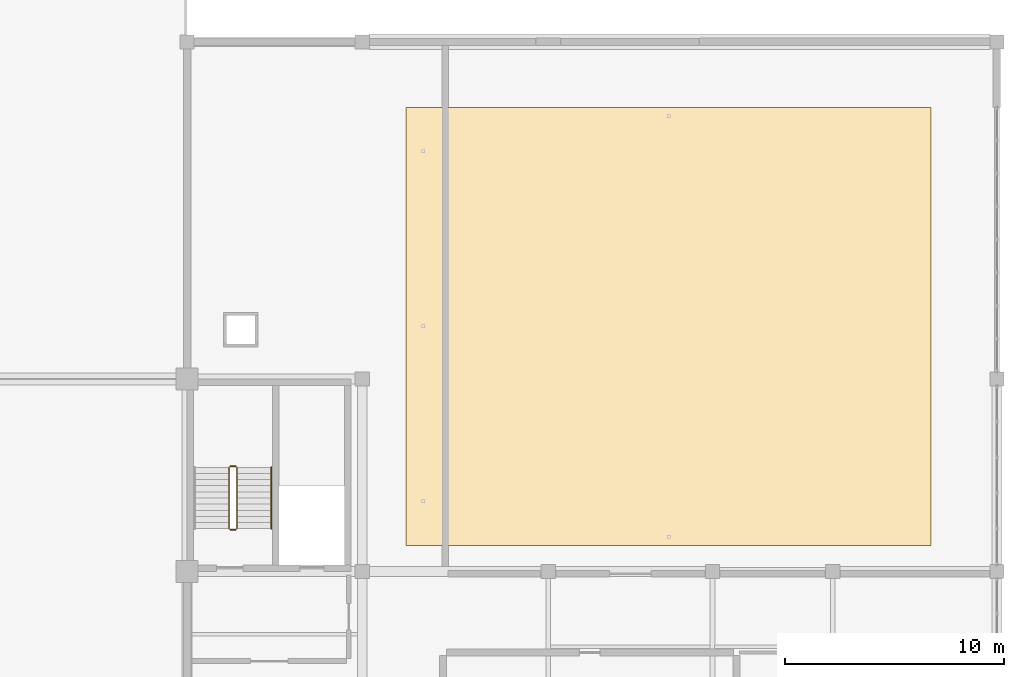
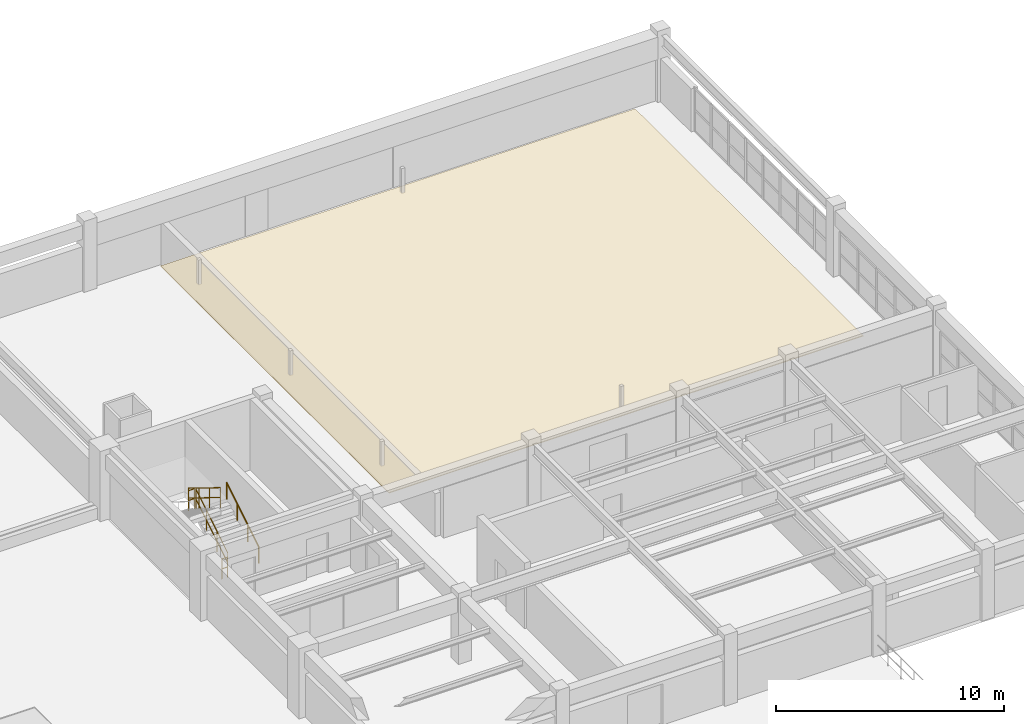
# One storey, part 74 of 74: 5 railings, 1 covering.
"""IFC4 building model written with IfcOpenShell, lengths in metres."""

from ifc_helpers import new_model, si_unit, direction, frame, origin, origin_2d, place, context, subcontext, project, spatial, polyline, circle, outline, extrude, material, layer, layer_set, type_object, element, save


model = new_model("IFC4")

# Units and contexts
model_context = context("Model", 3, precision=1e-05, world=origin(), true_north=direction((0.0, 1.0)))
body_context = subcontext(model_context, "Body", "Model", "MODEL_VIEW")
ifc_project = project(units=[si_unit("LENGTHUNIT", "METRE"), si_unit("AREAUNIT", "SQUARE_METRE"), si_unit("VOLUMEUNIT", "CUBIC_METRE"), si_unit("PLANEANGLEUNIT", "RADIAN"), si_unit("MASSUNIT", "GRAM", prefix="KILO")], contexts=[model_context])

# Site, building, storey
site_placement = place(None, origin())
site = spatial("IfcSite", under=ifc_project, at=site_placement, CompositionType="ELEMENT")
building_placement = place(site_placement, origin())
building = spatial("IfcBuilding", under=site, at=building_placement, Name="Muzn Square Opera House", CompositionType="ELEMENT")
storey_placement = place(building_placement, frame((0.0, 0.0, 14.199951171875)))
storey = spatial("IfcBuildingStorey", under=building, at=storey_placement, Name="L03", CompositionType="ELEMENT", Elevation=14.199951171875)

# Covering
ifc_material_1 = material(Name="Acoustic walnut timber panelling", Category="wood")
ifc_layer = layer(ifc_material_1, 0.0400390625, Name="Acoustic walnut timber panelling", Category="wood")
ifc_layer_set = layer_set([ifc_layer], Name="Acoustic walnut timber panelling")
covering_type = type_object("IfcCoveringType", Name="Carved Walnut Acoustic Ceiling Cloud", PredefinedType="CEILING", material=ifc_layer_set)
covering_placement = place(storey_placement, frame((0.0, 0.0, 2.199951171875)))
element("IfcCovering", 1, at=covering_placement, inside=storey, type_object=covering_type, Name="Orchestra Rehearsal Acoustic Reflector Cloud", PredefinedType="CEILING", context=body_context, shape_type="SweptSolid", body=[
    extrude(outline(polyline([(143.0, 91.0), (167.0, 91.0), (167.0, 111.0), (143.0, 111.0), (143.0, 91.0)])), origin(), (0.0, 0.0, 1.0), 0.0400390625),
])

# Railings
ifc_material_2 = material(Name="Brushed stainless steel", Category="metal")
railing_type_1 = type_object("IfcRailingType", Name="Stair Guard Railing 1120mm", PredefinedType="GUARDRAIL", material=ifc_material_2)
railing_1_placement = place(storey_placement, frame((135.2900390625, 91.760009765625, 0.1728515625)))
element("IfcRailing", 2, at=railing_1_placement, inside=storey, type_object=railing_type_1, Name="L03 ST-5 stair guard 1", PredefinedType="GUARDRAIL", context=body_context, shape_type="SweptSolid", body=[
    extrude(circle(Radius=0.02392578125, at=origin_2d()), frame((0.0, 0.0, 1.076171875), z_axis=(0.0, 0.851089632645, 0.525020415988), x_axis=(-1.0, 0.0, 0.0)), (0.0, 0.0, 1.0), 3.2900390625),
    extrude(circle(Radius=0.02392578125, at=origin_2d()), frame((0.0, 0.0, 0.550048828125), z_axis=(0.0, 0.851089632645, 0.525020415988), x_axis=(-1.0, 0.0, 0.0)), (0.0, 0.0, 1.0), 3.2900390625),
    extrude(circle(Radius=0.02099609375, at=origin_2d()), origin(), (0.0, 0.0, 1.0), 1.052001953125),
    extrude(circle(Radius=0.02099609375, at=origin_2d()), frame((0.0, 0.933349609375, 0.57568359375)), (0.0, 0.0, 1.0), 1.052001953125),
    extrude(circle(Radius=0.02099609375, at=origin_2d()), frame((0.0, 1.86669921875, 1.151611328125)), (0.0, 0.0, 1.0), 1.052001953125),
    extrude(circle(Radius=0.02099609375, at=origin_2d()), frame((0.0, 2.800048828125, 1.727294921875)), (0.0, 0.0, 1.0), 1.052001953125),
])
railing_2_placement = place(storey_placement, frame((135.239990234375, 94.610107421875, 1.900146484375)))
element("IfcRailing", 3, at=railing_2_placement, inside=storey, type_object=railing_type_1, Name="L03 ST-5 stair guard 2", PredefinedType="GUARDRAIL", context=body_context, shape_type="SweptSolid", body=[
    extrude(circle(Radius=0.02392578125, at=origin_2d()), frame((0.0, 0.0, 1.076171875), z_axis=(-1.0, 0.0, 0.0), x_axis=(0.0, -1.0, 0.0)), (0.0, 0.0, 1.0), 0.280029296875),
    extrude(circle(Radius=0.02392578125, at=origin_2d()), frame((0.0, 0.0, 0.550048828125), z_axis=(-1.0, 0.0, 0.0), x_axis=(0.0, -1.0, 0.0)), (0.0, 0.0, 1.0), 0.280029296875),
    extrude(circle(Radius=0.02099609375, at=origin_2d()), origin(), (0.0, 0.0, 1.0), 1.052001953125),
    extrude(circle(Radius=0.02099609375, at=origin_2d()), frame((-0.280029296875, 0.0, 0.0)), (0.0, 0.0, 1.0), 1.052001953125),
])
railing_3_placement = place(storey_placement, frame((134.909912109375, 94.56005859375, 2.07275390625)))
element("IfcRailing", 4, at=railing_3_placement, inside=storey, type_object=railing_type_1, Name="L03 ST-5 stair guard 3", PredefinedType="GUARDRAIL", context=body_context, shape_type="SweptSolid", body=[
    extrude(circle(Radius=0.02392578125, at=origin_2d()), frame((0.0, 0.0, 1.076171875), z_axis=(0.0, -0.851089632645, 0.525020415988), x_axis=(1.0, 0.0, 0.0)), (0.0, 0.0, 1.0), 3.2900390625),
    extrude(circle(Radius=0.02392578125, at=origin_2d()), frame((0.0, 0.0, 0.550048828125), z_axis=(0.0, -0.851089632645, 0.525020415988), x_axis=(1.0, 0.0, 0.0)), (0.0, 0.0, 1.0), 3.2900390625),
    extrude(circle(Radius=0.02099609375, at=origin_2d()), origin(), (0.0, 0.0, 1.0), 1.052001953125),
    extrude(circle(Radius=0.02099609375, at=origin_2d()), frame((0.0, -0.933349609375, 0.57568359375)), (0.0, 0.0, 1.0), 1.052001953125),
    extrude(circle(Radius=0.02099609375, at=origin_2d()), frame((0.0, -1.86669921875, 1.151611328125)), (0.0, 0.0, 1.0), 1.052001953125),
    extrude(circle(Radius=0.02099609375, at=origin_2d()), frame((0.0, -2.800048828125, 1.727294921875)), (0.0, 0.0, 1.0), 1.052001953125),
])
railing_4_placement = place(storey_placement, frame((135.239990234375, 91.7099609375, 0.0)))
element("IfcRailing", 5, at=railing_4_placement, inside=storey, type_object=railing_type_1, Name="L03 ST-5 stair guard 4", PredefinedType="GUARDRAIL", context=body_context, shape_type="SweptSolid", body=[
    extrude(circle(Radius=0.02392578125, at=origin_2d()), frame((0.0, 0.0, 1.076171875), z_axis=(-1.0, 0.0, 0.0), x_axis=(0.0, -1.0, 0.0)), (0.0, 0.0, 1.0), 0.280029296875),
    extrude(circle(Radius=0.02392578125, at=origin_2d()), frame((0.0, 0.0, 0.550048828125), z_axis=(-1.0, 0.0, 0.0), x_axis=(0.0, -1.0, 0.0)), (0.0, 0.0, 1.0), 0.280029296875),
    extrude(circle(Radius=0.02099609375, at=origin_2d()), origin(), (0.0, 0.0, 1.0), 1.052001953125),
    extrude(circle(Radius=0.02099609375, at=origin_2d()), frame((-0.280029296875, 0.0, 0.0)), (0.0, 0.0, 1.0), 1.052001953125),
])
railing_type_2 = type_object("IfcRailingType", Name="Stair Pitch Handrail 900mm", PredefinedType="HANDRAIL", material=ifc_material_2)
railing_5_placement = place(storey_placement, frame((136.85009765625, 91.760009765625, 0.1728515625)))
element("IfcRailing", 6, at=railing_5_placement, inside=storey, type_object=railing_type_2, Name="L03 ST-5 stair handrail 1", PredefinedType="HANDRAIL", context=body_context, shape_type="SweptSolid", body=[
    extrude(circle(Radius=0.02392578125, at=origin_2d()), frame((0.0, 0.0, 0.8759765625), z_axis=(0.0, 0.851089632645, 0.525020415988), x_axis=(-1.0, 0.0, 0.0)), (0.0, 0.0, 1.0), 3.2900390625),
    extrude(circle(Radius=0.02099609375, at=origin_2d()), origin(), (0.0, 0.0, 1.0), 0.851806640625),
    extrude(circle(Radius=0.02099609375, at=origin_2d()), frame((0.0, 0.933349609375, 0.57568359375)), (0.0, 0.0, 1.0), 0.851806640625),
    extrude(circle(Radius=0.02099609375, at=origin_2d()), frame((0.0, 1.86669921875, 1.151611328125)), (0.0, 0.0, 1.0), 0.851806640625),
    extrude(circle(Radius=0.02099609375, at=origin_2d()), frame((0.0, 2.800048828125, 1.727294921875)), (0.0, 0.0, 1.0), 0.851806640625),
])

save(model, "model.ifc")
